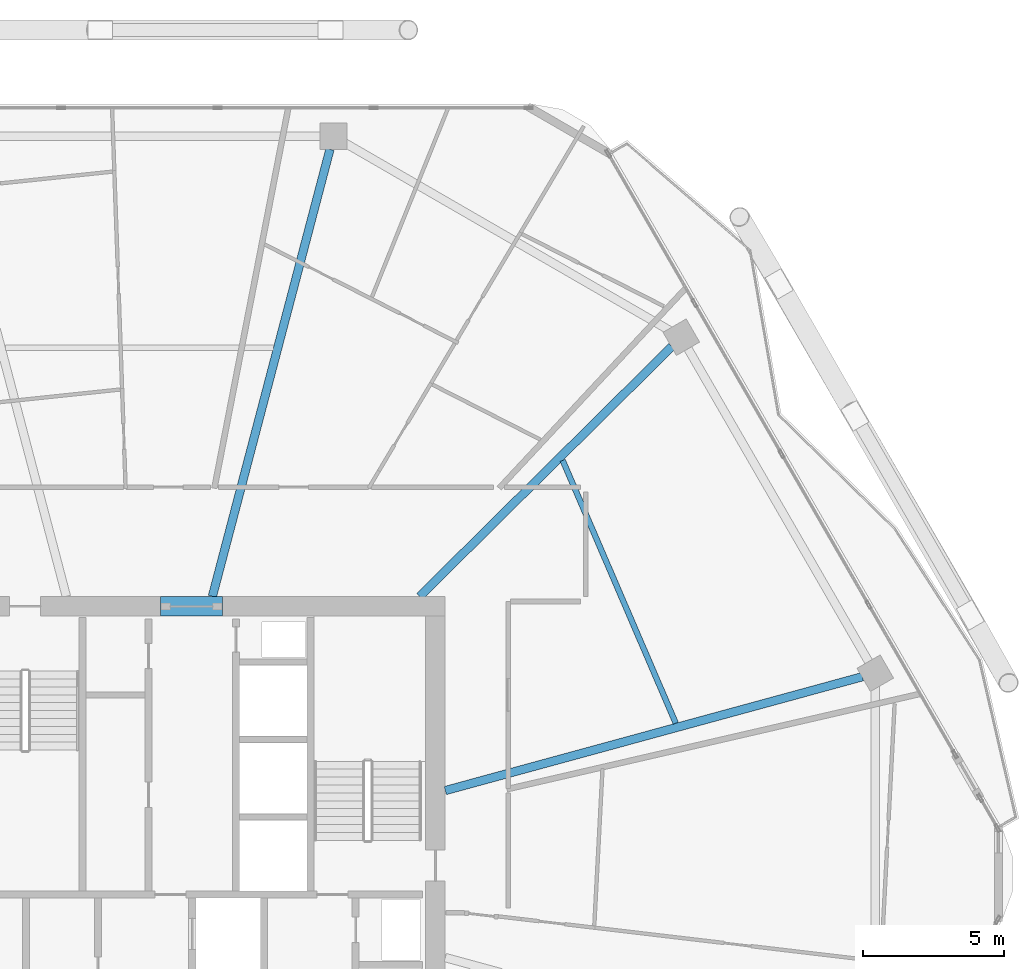
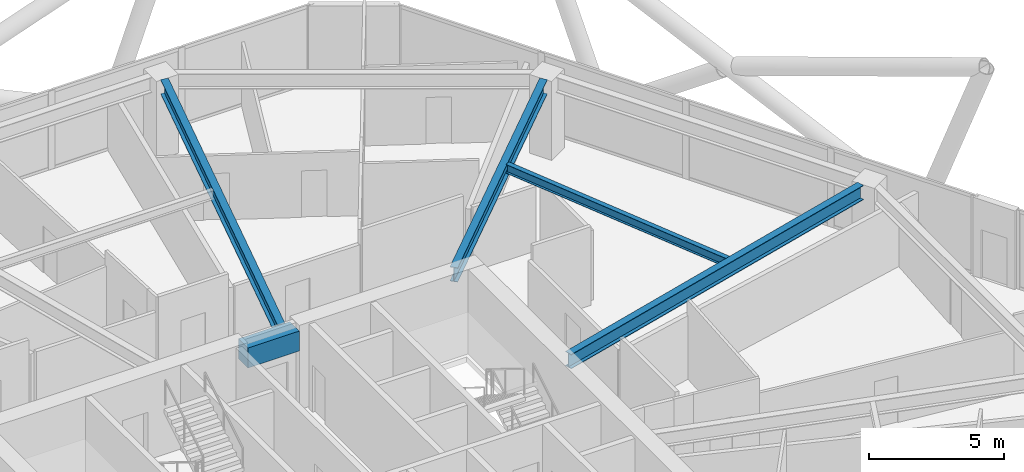
# One storey, part 15 of 27: 5 beams.
"""IFC4 building model written with IfcOpenShell, lengths in metres."""

import ifcopenshell
import ifcopenshell.guid

model = None  # the IFC model being written
_history = None  # IfcOwnerHistory: only IFC2X3 demands one
_inside = {}  # id of a spatial element -> (the spatial element, [elements in it])
_under = {}  # id of a project, library or spatial element -> (it, [spatial elements below it])
_declared = {}  # id of a project -> (the project, [libraries it declares])
_typed = {}  # id of a type object -> (the type object, [elements of that type])
_made_of = {}  # id of a material, layer set ... -> (it, [elements and type objects made of it])


def new_model(schema):
    """Start an empty IFC model of exactly this schema.

    Asked for "IFC4X3", IfcOpenShell would pick the latest addendum, in which some entities
    have other attributes; the version numbers below select the first issue.
    IFC2X3 requires an IfcOwnerHistory on every rooted entity: one is made here for all.
    """
    global model, _history
    if schema == "IFC4X3":
        model = ifcopenshell.file(schema_version=(4, 3, 0, 0))
    else:
        model = ifcopenshell.file(schema=schema)
    _inside.clear()
    _under.clear()
    _declared.clear()
    _typed.clear()
    _made_of.clear()
    _history = None
    if model.schema == "IFC2X3":
        org = make("IfcOrganization", Name="unknown")
        user = make(
            "IfcPersonAndOrganization",
            ThePerson=make("IfcPerson", FamilyName="unknown"),
            TheOrganization=org,
        )
        app = make(
            "IfcApplication",
            ApplicationDeveloper=org,
            Version="unknown",
            ApplicationFullName="unknown",
            ApplicationIdentifier="unknown",
        )
        _history = make(
            "IfcOwnerHistory",
            OwningUser=user,
            OwningApplication=app,
            ChangeAction="ADDED",
            CreationDate=0,
        )
    return model


def make(cls, **values):
    """One entity of the class cls with the attributes given. An attribute that is None is left unset."""
    return model.create_entity(
        cls, **{name: value for name, value in values.items() if value is not None}
    )


def rooted(cls, **values):
    """An entity with a GlobalId (a new one), such as an element, a storey or a relation."""
    return make(cls, GlobalId=ifcopenshell.guid.new(), OwnerHistory=_history, **values)


def si_unit(unit_type, name, prefix=None):
    """IfcSIUnit, for example si_unit("LENGTHUNIT", "METRE", prefix="MILLI")."""
    return make("IfcSIUnit", UnitType=unit_type, Prefix=prefix, Name=name)


def assignment(units):
    """IfcUnitAssignment: the units of a project."""
    return None if units is None else make("IfcUnitAssignment", Units=units)


def point(xyz):
    """IfcCartesianPoint."""
    return None if xyz is None else make("IfcCartesianPoint", Coordinates=xyz)


def direction(xyz):
    """IfcDirection."""
    return None if xyz is None else make("IfcDirection", DirectionRatios=xyz)


def frame(location, z_axis=None, x_axis=None):
    """IfcAxis2Placement3D, a coordinate frame: its origin and axes. An axis left out is left unset."""
    return make(
        "IfcAxis2Placement3D",
        Location=point(location),
        Axis=direction(z_axis),
        RefDirection=direction(x_axis),
    )


def frame_2d(location, x_axis=None):
    """IfcAxis2Placement2D, a coordinate frame in the plane: its origin and x axis."""
    return make(
        "IfcAxis2Placement2D", Location=point(location), RefDirection=direction(x_axis)
    )


def origin():
    """The frame at (0, 0, 0) with its axes left unset."""
    return frame((0.0, 0.0, 0.0))


def origin_2d():
    """The frame at (0, 0) in the plane with its x axis left unset."""
    return frame_2d((0.0, 0.0))


def place(relative_to, where):
    """IfcLocalPlacement: puts the frame where relative to a parent placement (None: the world)."""
    return make(
        "IfcLocalPlacement", PlacementRelTo=relative_to, RelativePlacement=where
    )


def context(
    kind, dimensions, precision=None, world=None, true_north=None, identifier=None
):
    """IfcGeometricRepresentationContext, for example the 3D "Model" context."""
    return make(
        "IfcGeometricRepresentationContext",
        ContextIdentifier=identifier,
        ContextType=kind,
        CoordinateSpaceDimension=dimensions,
        Precision=precision,
        WorldCoordinateSystem=world,
        TrueNorth=true_north,
    )


def subcontext(parent, identifier, kind, view, scale=None):
    """IfcGeometricRepresentationSubContext, for example "Body" below "Model"."""
    return make(
        "IfcGeometricRepresentationSubContext",
        ContextIdentifier=identifier,
        ContextType=kind,
        ParentContext=parent,
        TargetScale=scale,
        TargetView=view,
    )


def project(units=None, contexts=None):
    """IfcProject with its units and contexts."""
    return rooted(
        "IfcProject",
        Name="project",
        RepresentationContexts=contexts,
        UnitsInContext=assignment(units),
    )


def spatial(cls, under=None, at=None, **own):
    """A site, building, storey or space (cls), placed at a placement, below another one or the project."""
    s = rooted(cls, ObjectPlacement=at, **own)
    if under is not None:
        _under.setdefault(under.id(), (under, []))[1].append(s)
    return s


def profile(cls, at=None, kind="AREA", **sizes):
    """A parametric profile (cls). Its sizes go by their IFC names, for example OverallWidth=200.0."""
    return make(cls, ProfileType=kind, Position=at, **sizes)


def rectangle(**sizes):
    """IfcRectangleProfileDef."""
    return profile("IfcRectangleProfileDef", **sizes)


def i_section(**sizes):
    """IfcIShapeProfileDef."""
    return profile("IfcIShapeProfileDef", **sizes)


def extrude(swept, where, along, depth):
    """IfcExtrudedAreaSolid: the profile swept, set in the frame where, extruded along a direction by depth."""
    return make(
        "IfcExtrudedAreaSolid",
        SweptArea=swept,
        Position=where,
        ExtrudedDirection=direction(along),
        Depth=depth,
    )


def shape(context_of_items, identifier, shape_type, items):
    """IfcShapeRepresentation: the items that make up one representation, for example the "Body"."""
    return make(
        "IfcShapeRepresentation",
        ContextOfItems=context_of_items,
        RepresentationIdentifier=identifier,
        RepresentationType=shape_type,
        Items=items,
    )


def material(Name=None, Category=None):
    """IfcMaterial."""
    return make("IfcMaterial", Name=Name, Category=Category)


def material_profile(
    of_material, cross_section, Name=None, Category=None, Priority=None
):
    """IfcMaterialProfile: a cross section and its material."""
    return make(
        "IfcMaterialProfile",
        Name=Name,
        Material=of_material,
        Profile=cross_section,
        Priority=Priority,
        Category=Category,
    )


def profile_set(profiles, Name=None, composite=None):
    """IfcMaterialProfileSet."""
    return make(
        "IfcMaterialProfileSet",
        Name=Name,
        MaterialProfiles=profiles,
        CompositeProfile=composite,
    )


def made_of(thing, what):
    """Note that an element or type object is made of a material, layer set ...; save() writes the relation."""
    if what is not None:
        _made_of.setdefault(what.id(), (what, []))[1].append(thing)
    return thing


def type_object(cls, material=None, **own):
    """A type object (cls), such as IfcWallType, which elements share."""
    return made_of(rooted(cls, **own), material)


def element(
    cls,
    number,
    at=None,
    inside=None,
    cuts=None,
    type_object=None,
    material=None,
    context=None,
    identifier="Body",
    shape_type=None,
    held_by="IfcProductDefinitionShape",
    body=None,
    shapes=None,
    **own,
):
    """One element of the class cls, such as IfcWall. Its Tag is "e" and its number.

    at: its placement. inside: the storey or other place that contains it. cuts: it is an
    opening in that element (IfcRelVoidsElement). A single representation is given by context,
    identifier, shape_type and body (its items); several are given by shapes. held_by: the class
    of the entity that holds the representations. save() writes the other relations.
    """
    e = rooted(cls, Tag="e%d" % number, ObjectPlacement=at, **own)
    if body is not None:
        shapes = [shape(context, identifier, shape_type, body)]
    if shapes is not None:
        e.Representation = make(held_by, Representations=shapes)
    if inside is not None:
        _inside.setdefault(inside.id(), (inside, []))[1].append(e)
    if cuts is not None:
        rooted(
            "IfcRelVoidsElement", RelatingBuildingElement=cuts, RelatedOpeningElement=e
        )
    if type_object is not None:
        _typed.setdefault(type_object.id(), (type_object, []))[1].append(e)
    return made_of(e, material)


def aggregate(whole, parts):
    """IfcRelAggregates: a whole, such as a stair, and the parts it consists of."""
    return rooted("IfcRelAggregates", RelatingObject=whole, RelatedObjects=parts)


def save(model, path):
    """Write the relations noted so far, then the file.

    IfcRelAggregates (storeys below a building ...), IfcRelContainedInSpatialStructure (elements
    in a storey), IfcRelDefinesByType, IfcRelAssociatesMaterial and IfcRelDeclares: one each for
    every whole, place, type object, material and project.
    """
    for whole, parts in _under.values():
        aggregate(whole, parts)
    for where, things in _inside.values():
        rooted(
            "IfcRelContainedInSpatialStructure",
            RelatedElements=things,
            RelatingStructure=where,
        )
    for kind, things in _typed.values():
        rooted("IfcRelDefinesByType", RelatedObjects=things, RelatingType=kind)
    for what, things in _made_of.values():
        rooted("IfcRelAssociatesMaterial", RelatedObjects=things, RelatingMaterial=what)
    for by, libraries in _declared.values():
        rooted("IfcRelDeclares", RelatingContext=by, RelatedDefinitions=libraries)
    model.write(path)


model = new_model("IFC4")

# Units and contexts
model_context = context("Model", 3, precision=1e-05, world=origin(), true_north=direction((0.0, 1.0)))
body_context = subcontext(model_context, "Body", "Model", "MODEL_VIEW")
ifc_project = project(units=[si_unit("LENGTHUNIT", "METRE"), si_unit("AREAUNIT", "SQUARE_METRE"), si_unit("VOLUMEUNIT", "CUBIC_METRE"), si_unit("PLANEANGLEUNIT", "RADIAN"), si_unit("MASSUNIT", "GRAM", prefix="KILO")], contexts=[model_context])

# Site, building, storey
site_placement = place(None, origin())
site = spatial("IfcSite", under=ifc_project, at=site_placement, CompositionType="ELEMENT")
building_placement = place(site_placement, origin())
building = spatial("IfcBuilding", under=site, at=building_placement, Name="Zuhravey Tower", CompositionType="ELEMENT")
storey_placement = place(building_placement, frame((0.0, 0.0, 215.0)))
storey = spatial("IfcBuildingStorey", under=building, at=storey_placement, Name="L54", CompositionType="ELEMENT", Elevation=215.0)

# Beams
ifc_material_1 = material(Name="Concrete C60/75", Category="concrete")
ifc_material_profile_1 = material_profile(ifc_material_1, rectangle(XDim=0.699951171875, YDim=0.89990234375, at=origin_2d()), Name="RC-700x900")
ifc_profile_set_1 = profile_set([ifc_material_profile_1], Name="Concrete C60/75")
beam_type_1 = type_object("IfcBeamType", Name="Core Coupling Beam RC700x900", PredefinedType="LINTEL", material=ifc_profile_set_1)
beam_1_placement = place(storey_placement, frame((36.751953125, 41.5, 3.10009765625), z_axis=(1.0, 0.0, 0.0), x_axis=(0.0, 1.0, 0.0)))
element("IfcBeam", 1, at=beam_1_placement, inside=storey, type_object=beam_type_1, Name="L54 CB1 BM-L54-CB-N", PredefinedType="LINTEL", context=body_context, shape_type="SweptSolid", body=[
    extrude(rectangle(XDim=0.699951171875, YDim=0.89990234375, at=origin_2d()), origin(), (0.0, 0.0, 1.0), 2.196044921875),
])
ifc_material_2 = material(Name="Steel SM355", Category="steel")
ifc_material_profile_2 = material_profile(ifc_material_2, i_section(OverallWidth=0.300048828125, OverallDepth=0.64990234375, WebThickness=0.012939453125, FlangeThickness=0.02197265625, at=origin_2d()), Name="H-650x300x13x22")
ifc_profile_set_2 = profile_set([ifc_material_profile_2], Name="Steel SM355")
beam_type_2 = type_object("IfcBeamType", Name="Radial Primary Girder H650x300", PredefinedType="BEAM", material=ifc_profile_set_2)
beam_2_placement = place(storey_placement, frame((46.85302734375, 34.96240234375, 3.22509765625), z_axis=(0.964701703464, 0.263345065139, 0.0), x_axis=(-0.263345065139, 0.964701703464, 0.0)))
element("IfcBeam", 2, at=beam_2_placement, inside=storey, type_object=beam_type_2, Name="L54 RG2 BM-L54-RAD-01", PredefinedType="BEAM", context=body_context, shape_type="SweptSolid", body=[
    extrude(i_section(OverallWidth=0.300048828125, OverallDepth=0.64990234375, WebThickness=0.012939453125, FlangeThickness=0.02197265625, at=origin_2d()), origin(), (0.0, 0.0, 1.0), 15.334716796875),
])
beam_3_placement = place(storey_placement, frame((45.945556640625, 41.85302734375, 3.22509765625), z_axis=(0.710406645816, 0.703791444663, 0.0), x_axis=(-0.703791444663, 0.710406645816, 0.0)))
element("IfcBeam", 3, at=beam_3_placement, inside=storey, type_object=beam_type_2, Name="L54 RG2 BM-L54-RAD-02", PredefinedType="BEAM", context=body_context, shape_type="SweptSolid", body=[
    extrude(i_section(OverallWidth=0.300048828125, OverallDepth=0.64990234375, WebThickness=0.012939453125, FlangeThickness=0.02197265625, at=origin_2d()), origin(), (0.0, 0.0, 1.0), 12.5849609375),
])
beam_4_placement = place(storey_placement, frame((38.5908203125, 41.85302734375, 3.22509765625), z_axis=(0.254299806285, 0.967125435775, 0.0), x_axis=(-0.967125435775, 0.254299806285, 0.0)))
element("IfcBeam", 4, at=beam_4_placement, inside=storey, type_object=beam_type_2, Name="L54 RG2 BM-L54-RAD-03", PredefinedType="BEAM", context=body_context, shape_type="SweptSolid", body=[
    extrude(i_section(OverallWidth=0.300048828125, OverallDepth=0.64990234375, WebThickness=0.012939453125, FlangeThickness=0.02197265625, at=origin_2d()), origin(), (0.0, 0.0, 1.0), 16.396728515625),
])
ifc_material_profile_3 = material_profile(ifc_material_2, i_section(OverallWidth=0.199951171875, OverallDepth=0.39990234375, WebThickness=0.008056640625, FlangeThickness=0.012939453125, at=origin_2d()), Name="H-400x200x8x13")
ifc_profile_set_3 = profile_set([ifc_material_profile_3], Name="Steel SM355")
beam_type_3 = type_object("IfcBeamType", Name="Secondary Floor Joist H400x200", PredefinedType="JOIST", material=ifc_profile_set_3)
beam_5_placement = place(storey_placement, frame((55.029541015625, 37.3525390625, 3.35009765625), z_axis=(-0.395265853487, 0.918566766799, 0.0), x_axis=(-0.918566766799, -0.395265853487, 0.0)))
element("IfcBeam", 5, at=beam_5_placement, inside=storey, type_object=beam_type_3, Name="L54 SJ2 BM-L54-SJ-01-1", PredefinedType="JOIST", context=body_context, shape_type="SweptSolid", body=[
    extrude(i_section(OverallWidth=0.199951171875, OverallDepth=0.39990234375, WebThickness=0.008056640625, FlangeThickness=0.012939453125, at=origin_2d()), origin(), (0.0, 0.0, 1.0), 10.150146484375),
])

save(model, "model.ifc")
